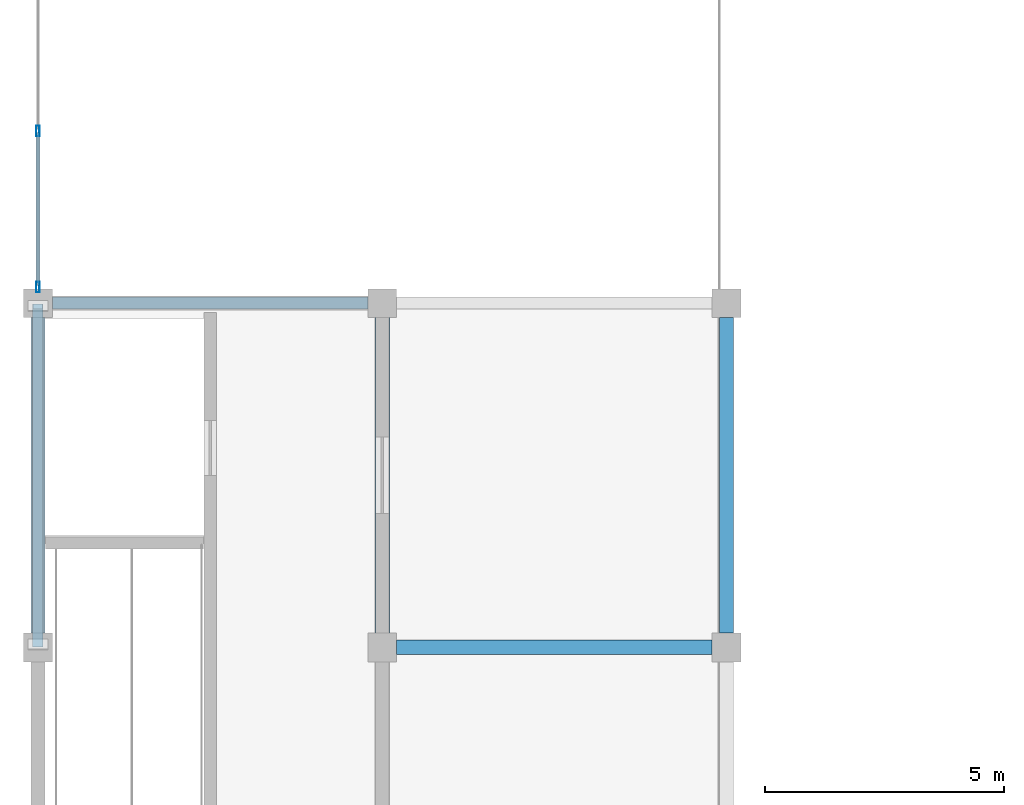
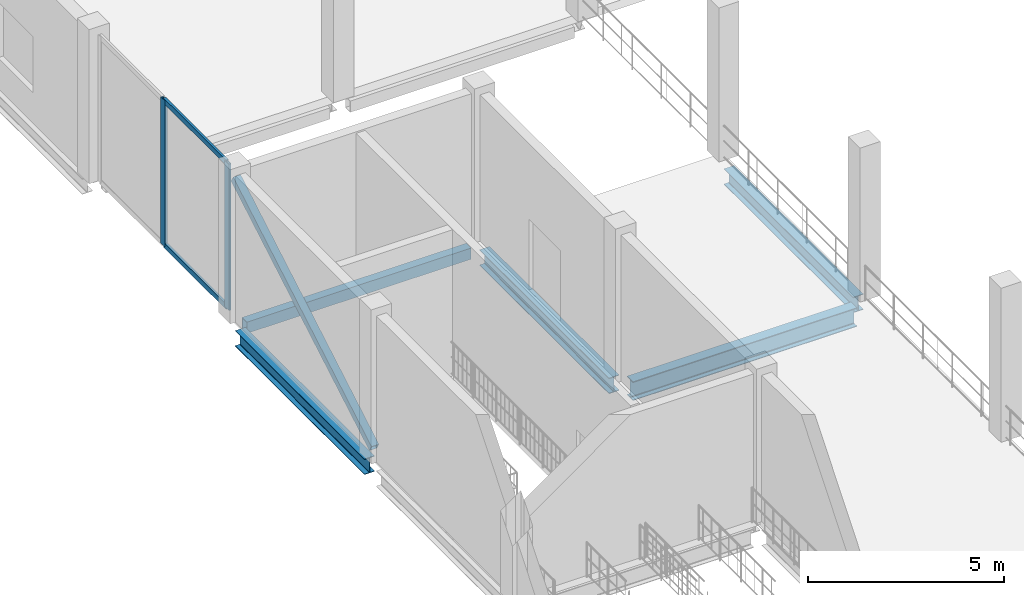
# One storey, part 41 of 120: 5 beams, 5 members, 1 element without a shape of its own.
"""IFC4 building model written with IfcOpenShell, lengths in metres."""

from ifc_helpers import new_model, si_unit, direction, frame, origin, origin_2d, place, context, subcontext, project, spatial, hollow_rectangle, i_section, extrude, material, material_profile, profile_set, type_object, element, aggregate, save


model = new_model("IFC4")

# Units and contexts
model_context = context("Model", 3, precision=1e-05, world=origin(), true_north=direction((0.0, 1.0)))
body_context = subcontext(model_context, "Body", "Model", "MODEL_VIEW")
ifc_project = project(units=[si_unit("LENGTHUNIT", "METRE"), si_unit("AREAUNIT", "SQUARE_METRE"), si_unit("VOLUMEUNIT", "CUBIC_METRE"), si_unit("PLANEANGLEUNIT", "RADIAN"), si_unit("MASSUNIT", "GRAM", prefix="KILO")], contexts=[model_context])

# Site, building, storey
site_placement = place(None, origin())
site = spatial("IfcSite", under=ifc_project, at=site_placement, CompositionType="ELEMENT")
building_placement = place(site_placement, origin())
building = spatial("IfcBuilding", under=site, at=building_placement, Name="Vesperath Aquatics Centre", CompositionType="ELEMENT")
storey_placement = place(building_placement, frame((0.0, 0.0, 10.199951171875)))
storey = spatial("IfcBuildingStorey", under=building, at=storey_placement, Name="L02", CompositionType="ELEMENT", Elevation=10.199951171875)

# Beams
ifc_material_1 = material(Name="Steel Q355C", Category="steel")
ifc_material_profile_1 = material_profile(ifc_material_1, i_section(OverallWidth=0.300048828125, OverallDepth=0.587890625, WebThickness=0.011962890625, FlangeThickness=0.02001953125, FilletRadius=0.028076171875, at=origin_2d()), Name="HM 588x300x12x20")
ifc_profile_set_1 = profile_set([ifc_material_profile_1], Name="Steel Q355C")
beam_type_1 = type_object("IfcBeamType", Name="BM-G09", PredefinedType="BEAM", material=ifc_profile_set_1)
beam_1_placement = place(storey_placement, frame((7.5, 64.800048828125, -0.553955078125), z_axis=(1.0, 0.0, 0.0), x_axis=(0.0, 1.0, 0.0)))
element("IfcBeam", 1, at=beam_1_placement, inside=storey, type_object=beam_type_1, Name="Floor Girder B09 L02 K 2-3", PredefinedType="BEAM", context=body_context, shape_type="SweptSolid", body=[
    extrude(i_section(OverallWidth=0.300048828125, OverallDepth=0.587890625, WebThickness=0.011962890625, FlangeThickness=0.02001953125, FilletRadius=0.028076171875, at=origin_2d()), origin(), (0.0, 0.0, 1.0), 6.60009765625),
])
ifc_material_profile_2 = material_profile(ifc_material_1, i_section(OverallWidth=0.300048828125, OverallDepth=0.488037109375, WebThickness=0.010986328125, FlangeThickness=0.01806640625, FilletRadius=0.02587890625, at=origin_2d()), Name="HM 488x300x11x18")
ifc_profile_set_2 = profile_set([ifc_material_profile_2], Name="Steel Q355C")
beam_type_2 = type_object("IfcBeamType", Name="BM-G10", PredefinedType="BEAM", material=ifc_profile_set_2)
for number, where, z_axis, x_axis, name in (
    (2, (0.0, 65.10009765625, -0.50390625), (0.0, 1.0, 0.0), (-1.0, 0.0, 0.0), "Floor Girder B10 L02 1 K-L"),
    (3, (7.199951171875, 65.10009765625, -0.50390625), (0.0, 1.0, 0.0), (-1.0, 0.0, 0.0), "Floor Girder B10 L02 2 K-L"),
    (4, (14.39990234375, 65.10009765625, -0.50390625), (0.0, 1.0, 0.0), (-1.0, 0.0, 0.0), "Floor Girder B10 L02 3 K-L"),
):
    element("IfcBeam", number, at=place(storey_placement, frame(where, z_axis=z_axis, x_axis=x_axis)), inside=storey, type_object=beam_type_2, Name=name, PredefinedType="BEAM", context=body_context, shape_type="SweptSolid", body=[
        extrude(i_section(OverallWidth=0.300048828125, OverallDepth=0.488037109375, WebThickness=0.010986328125, FlangeThickness=0.01806640625, FilletRadius=0.02587890625, at=origin_2d()), origin(), (0.0, 0.0, 1.0), 6.599853515625),
    ])
ifc_material_2 = material(Name="Steel Q355D", Category="steel")
ifc_material_profile_3 = material_profile(ifc_material_2, hollow_rectangle(XDim=0.25, YDim=0.35009765625, WallThickness=0.011962890625, at=origin_2d()), Name="RHS 350x250x12")
ifc_profile_set_3 = profile_set([ifc_material_profile_3], Name="Steel Q355D")
beam_type_3 = type_object("IfcBeamType", Name="BM-SP02", PredefinedType="SPANDREL", material=ifc_profile_set_3)
beam_2_placement = place(storey_placement, frame((0.300048828125, 72.0, -0.43505859375), z_axis=(1.0, 0.0, 0.0), x_axis=(0.0, 1.0, 0.0)))
element("IfcBeam", 5, at=beam_2_placement, inside=storey, type_object=beam_type_3, Name="Floor Girder SP02 L02 L 1-2", PredefinedType="SPANDREL", context=body_context, shape_type="SweptSolid", body=[
    extrude(hollow_rectangle(XDim=0.25, YDim=0.35009765625, WallThickness=0.011962890625, at=origin_2d()), origin(), (0.0, 0.0, 1.0), 6.599853515625),
])

# Member
ifc_material_profile_4 = material_profile(ifc_material_2, hollow_rectangle(XDim=0.219970703125, YDim=0.219970703125, WallThickness=0.010009765625, at=origin_2d()), Name="SHS 220x220x10")
ifc_profile_set_4 = profile_set([ifc_material_profile_4], Name="Steel Q355D")
member_type_1 = type_object("IfcMemberType", Name="MB-BR02", PredefinedType="BRACE", material=ifc_profile_set_4)
member_1_placement = place(storey_placement, frame((0.0, 64.869140625, 0.1904296875), z_axis=(0.0, 0.863777817794, 0.503872882269), x_axis=(-1.0, 0.0, 0.0)))
element("IfcMember", 6, at=member_1_placement, inside=storey, type_object=member_type_1, Name="Lateral Braced Frame Strut C2_W L02", PredefinedType="BRACE", context=body_context, shape_type="SweptSolid", body=[
    extrude(hollow_rectangle(XDim=0.219970703125, YDim=0.219970703125, WallThickness=0.010009765625, at=origin_2d()), origin(), (0.0, 0.0, 1.0), 8.175537109375),
])

# Curtain wall, members
ifc_material_3 = material(Name="Thermally broken anodised bronze aluminium curtain wall", Category="aluminium")
curtain_wall_type = type_object("IfcCurtainWallType", Name="CW-06", PredefinedType="NOTDEFINED", material=ifc_material_3)
curtain_wall_placement = place(storey_placement, origin())
curtain_wall = element("IfcCurtainWall", 7, at=curtain_wall_placement, inside=storey, type_object=curtain_wall_type, Name="Facade Curtain Wall CW06 L02_W_00_10", PredefinedType="NOTDEFINED")
ifc_material_4 = material(Name="Thermally broken anodised aluminium", Category="aluminium")
ifc_material_profile_5 = material_profile(ifc_material_4, hollow_rectangle(XDim=0.070068359375, YDim=0.219970703125, WallThickness=0.0048828125, at=origin_2d()), Name="CWM 70x220x5")
ifc_profile_set_5 = profile_set([ifc_material_profile_5], Name="Thermally broken anodised aluminium")
member_type_2 = type_object("IfcMemberType", Name="MB-CWM2", PredefinedType="MULLION", material=ifc_profile_set_5)
member_2_placement = place(storey_placement, frame((0.0, 72.3349609375, 0.0), z_axis=(0.0, 0.0, 1.0), x_axis=(-1.0, 0.0, 0.0)))
member_2 = element("IfcMember", 8, at=member_2_placement, type_object=member_type_2, Name="CW06 mullion 1", PredefinedType="MULLION", context=body_context, shape_type="SweptSolid", body=[
    extrude(hollow_rectangle(XDim=0.070068359375, YDim=0.219970703125, WallThickness=0.0048828125, at=origin_2d()), origin(), (0.0, 0.0, 1.0), 4.56005859375),
])
member_3_placement = place(storey_placement, frame((0.0, 75.60009765625, 0.0), z_axis=(0.0, 0.0, 1.0), x_axis=(-1.0, 0.0, 0.0)))
member_3 = element("IfcMember", 9, at=member_3_placement, type_object=member_type_2, Name="CW06 mullion 2", PredefinedType="MULLION", context=body_context, shape_type="SweptSolid", body=[
    extrude(hollow_rectangle(XDim=0.070068359375, YDim=0.219970703125, WallThickness=0.0048828125, at=origin_2d()), origin(), (0.0, 0.0, 1.0), 4.56005859375),
])
ifc_material_profile_6 = material_profile(ifc_material_4, hollow_rectangle(XDim=0.070068359375, YDim=0.159912109375, WallThickness=0.0048828125, at=origin_2d()), Name="CWT 70x160x5")
ifc_profile_set_6 = profile_set([ifc_material_profile_6], Name="Thermally broken anodised aluminium")
member_type_3 = type_object("IfcMemberType", Name="MB-CWT2", PredefinedType="USERDEFINED", material=ifc_profile_set_6)
member_4_placement = place(storey_placement, frame((0.0, 72.3701171875, 0.03515625), z_axis=(0.0, 1.0, 0.0), x_axis=(-1.0, 0.0, 0.0)))
member_4 = element("IfcMember", 10, at=member_4_placement, type_object=member_type_3, Name="CW06 transom 1.1", ObjectType="TRANSOM", PredefinedType="USERDEFINED", context=body_context, shape_type="SweptSolid", body=[
    extrude(hollow_rectangle(XDim=0.070068359375, YDim=0.159912109375, WallThickness=0.0048828125, at=origin_2d()), origin(), (0.0, 0.0, 1.0), 3.19482421875),
])
member_5_placement = place(storey_placement, frame((0.0, 72.3701171875, 4.525146484375), z_axis=(0.0, 1.0, 0.0), x_axis=(-1.0, 0.0, 0.0)))
member_5 = element("IfcMember", 11, at=member_5_placement, type_object=member_type_3, Name="CW06 transom 1.2", ObjectType="TRANSOM", PredefinedType="USERDEFINED", context=body_context, shape_type="SweptSolid", body=[
    extrude(hollow_rectangle(XDim=0.070068359375, YDim=0.159912109375, WallThickness=0.0048828125, at=origin_2d()), origin(), (0.0, 0.0, 1.0), 3.19482421875),
])
aggregate(curtain_wall, [member_2, member_3, member_4, member_5])

save(model, "model.ifc")
